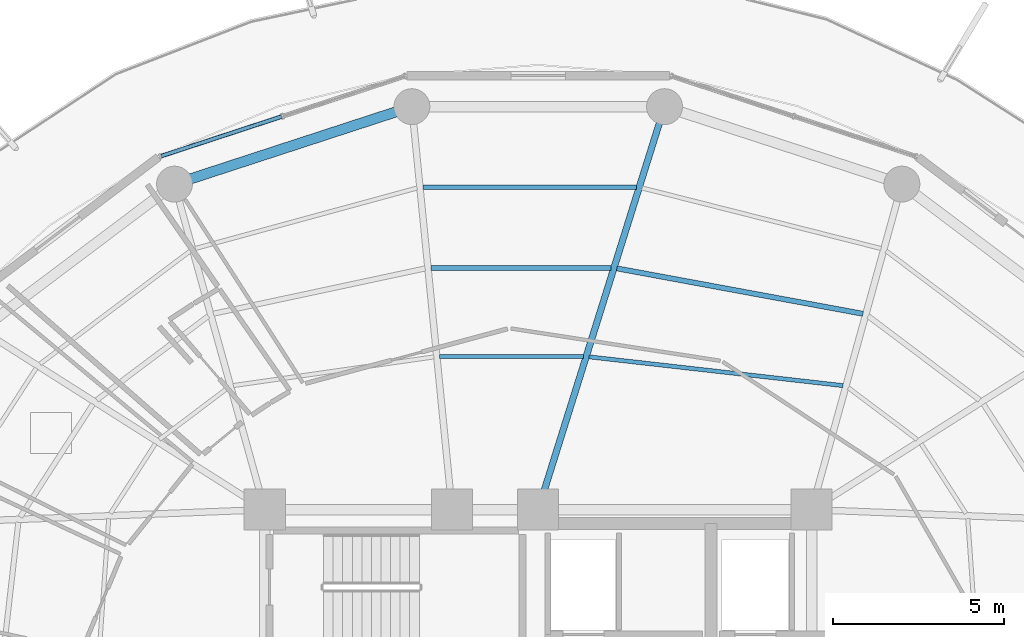
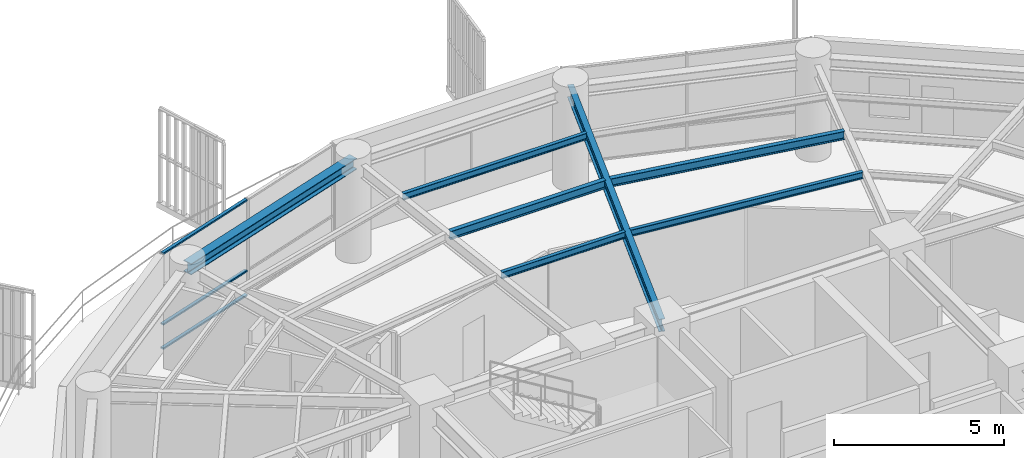
# One storey, part 18 of 30: 7 beams, 3 members, 1 element without a shape of its own.
"""IFC4 building model written with IfcOpenShell, lengths in metres."""

from ifc_helpers import new_model, si_unit, direction, frame, origin, origin_2d, place, context, subcontext, project, spatial, hollow_rectangle, i_section, extrude, material, layer, layer_set, material_profile, profile_set, type_object, element, aggregate, save


model = new_model("IFC4")

# Units and contexts
model_context = context("Model", 3, precision=1e-05, world=origin(), true_north=direction((0.0, 1.0)))
body_context = subcontext(model_context, "Body", "Model", "MODEL_VIEW")
ifc_project = project(units=[si_unit("LENGTHUNIT", "METRE"), si_unit("AREAUNIT", "SQUARE_METRE"), si_unit("VOLUMEUNIT", "CUBIC_METRE"), si_unit("PLANEANGLEUNIT", "RADIAN"), si_unit("MASSUNIT", "GRAM", prefix="KILO")], contexts=[model_context])

# Site, building, storey
site_placement = place(None, origin())
site = spatial("IfcSite", under=ifc_project, at=site_placement, CompositionType="ELEMENT")
building_placement = place(site_placement, origin())
building = spatial("IfcBuilding", under=site, at=building_placement, Name="Kelanora Arch Commons", CompositionType="ELEMENT")
storey_placement = place(building_placement, frame((0.0, 0.0, 204.449951171875)))
storey = spatial("IfcBuildingStorey", under=building, at=storey_placement, Name="L52", CompositionType="ELEMENT", Elevation=204.449951171875)

# Beams
ifc_material_1 = material(Name="Steel S355", Category="steel")
ifc_material_profile_1 = material_profile(ifc_material_1, i_section(OverallWidth=0.14990234375, OverallDepth=0.300048828125, WebThickness=0.007080078125, FlangeThickness=0.0107421875, FilletRadius=0.014892578125, at=origin_2d()), Name="IPE300")
ifc_profile_set_1 = profile_set([ifc_material_profile_1], Name="Steel S355")
beam_type_1 = type_object("IfcBeamType", Name="BM-JST-01", PredefinedType="JOIST", material=ifc_profile_set_1)
beam_1_placement = place(storey_placement, frame((83.50048828125, 70.729736328125, 3.340087890625), z_axis=(-0.983389964671, 0.181505309519, 0.0), x_axis=(-0.181505309519, -0.983389964671, 0.0)))
element("IfcBeam", 1, at=beam_1_placement, inside=storey, type_object=beam_type_1, Name="Secondary Chord Joist BJB-06 L52", PredefinedType="JOIST", context=body_context, shape_type="SweptSolid", body=[
    extrude(i_section(OverallWidth=0.14990234375, OverallDepth=0.300048828125, WebThickness=0.007080078125, FlangeThickness=0.0107421875, FilletRadius=0.014892578125, at=origin_2d()), origin(), (0.0, 0.0, 1.0), 7.3212890625),
])
beam_2_placement = place(storey_placement, frame((76.132080078125, 72.07421875, 3.340087890625), z_axis=(-1.0, 0.0, 0.0), x_axis=(0.0, -1.0, 0.0)))
element("IfcBeam", 2, at=beam_2_placement, inside=storey, type_object=beam_type_1, Name="Secondary Chord Joist BJB-08 L52", PredefinedType="JOIST", context=body_context, shape_type="SweptSolid", body=[
    extrude(i_section(OverallWidth=0.14990234375, OverallDepth=0.300048828125, WebThickness=0.007080078125, FlangeThickness=0.0107421875, FilletRadius=0.014892578125, at=origin_2d()), origin(), (0.0, 0.0, 1.0), 5.272216796875),
])
ifc_material_profile_2 = material_profile(ifc_material_1, i_section(OverallWidth=0.1201171875, OverallDepth=0.239990234375, WebThickness=0.006103515625, FlangeThickness=0.009765625, FilletRadius=0.014892578125, at=origin_2d()), Name="IPE240")
ifc_profile_set_2 = profile_set([ifc_material_profile_2], Name="Steel S355")
beam_type_2 = type_object("IfcBeamType", Name="BM-JST-02", PredefinedType="JOIST", material=ifc_profile_set_2)
beam_3_placement = place(storey_placement, frame((82.918701171875, 68.628662109375, 3.3701171875), z_axis=(-0.993639672263, 0.11260640171, 0.0), x_axis=(-0.11260640171, -0.993639672263, 0.0)))
element("IfcBeam", 3, at=beam_3_placement, inside=storey, type_object=beam_type_2, Name="Secondary Chord Joist BJA-06 L52", PredefinedType="JOIST", context=body_context, shape_type="SweptSolid", body=[
    extrude(i_section(OverallWidth=0.1201171875, OverallDepth=0.239990234375, WebThickness=0.006103515625, FlangeThickness=0.009765625, FilletRadius=0.014892578125, at=origin_2d()), origin(), (0.0, 0.0, 1.0), 7.477783203125),
])
beam_4_placement = place(storey_placement, frame((75.319091796875, 69.480224609375, 3.3701171875), z_axis=(-1.0, 0.0, 0.0), x_axis=(0.0, -1.0, 0.0)))
element("IfcBeam", 4, at=beam_4_placement, inside=storey, type_object=beam_type_2, Name="Secondary Chord Joist BJA-08 L52", PredefinedType="JOIST", context=body_context, shape_type="SweptSolid", body=[
    extrude(i_section(OverallWidth=0.1201171875, OverallDepth=0.239990234375, WebThickness=0.006103515625, FlangeThickness=0.009765625, FilletRadius=0.014892578125, at=origin_2d()), origin(), (0.0, 0.0, 1.0), 4.20068359375),
])
beam_5_placement = place(storey_placement, frame((76.87109375, 74.43212890625, 3.3701171875), z_axis=(-1.0, 0.0, 0.0), x_axis=(0.0, -1.0, 0.0)))
element("IfcBeam", 5, at=beam_5_placement, inside=storey, type_object=beam_type_2, Name="Secondary Chord Joist BJC-08 L52", PredefinedType="JOIST", context=body_context, shape_type="SweptSolid", body=[
    extrude(i_section(OverallWidth=0.1201171875, OverallDepth=0.239990234375, WebThickness=0.006103515625, FlangeThickness=0.009765625, FilletRadius=0.014892578125, at=origin_2d()), origin(), (0.0, 0.0, 1.0), 6.246337890625),
])
ifc_material_profile_3 = material_profile(ifc_material_1, i_section(OverallWidth=0.18994140625, OverallDepth=0.449951171875, WebThickness=0.009521484375, FlangeThickness=0.0146484375, FilletRadius=0.02099609375, at=origin_2d()), Name="IPE450")
ifc_profile_set_3 = profile_set([ifc_material_profile_3], Name="Steel S355")
beam_type_3 = type_object("IfcBeamType", Name="BM-RAD-Z4", PredefinedType="BEAM", material=ifc_profile_set_3)
beam_6_placement = place(storey_placement, frame((74.0, 65.0, 3.26513671875), z_axis=(0.299080457492, 0.954227897279, 0.0), x_axis=(-0.954227897279, 0.299080457492, 0.0)))
element("IfcBeam", 6, at=beam_6_placement, inside=storey, type_object=beam_type_3, Name="Radial Floor Girder BR-08 L52", PredefinedType="BEAM", context=body_context, shape_type="SweptSolid", body=[
    extrude(i_section(OverallWidth=0.18994140625, OverallDepth=0.449951171875, WebThickness=0.009521484375, FlangeThickness=0.0146484375, FilletRadius=0.02099609375, at=origin_2d()), origin(), (0.0, 0.0, 1.0), 12.35546875),
])
ifc_material_profile_4 = material_profile(ifc_material_1, i_section(OverallWidth=0.300048828125, OverallDepth=0.39990234375, WebThickness=0.013427734375, FlangeThickness=0.02392578125, FilletRadius=0.027099609375, at=origin_2d()), Name="HEB400")
ifc_profile_set_4 = profile_set([ifc_material_profile_4], Name="Steel S355")
beam_type_4 = type_object("IfcBeamType", Name="BM-SPN-Z4", PredefinedType="SPANDREL", material=ifc_profile_set_4)
beam_7_placement = place(storey_placement, frame((70.3046875, 76.7900390625, 3.2900390625), z_axis=(-0.950656361143, -0.310245842872, 0.0), x_axis=(0.310245842872, -0.950656361143, 0.0)))
element("IfcBeam", 7, at=beam_7_placement, inside=storey, type_object=beam_type_4, Name="Perimeter Spandrel Beam BS-10 L52", PredefinedType="SPANDREL", context=body_context, shape_type="SweptSolid", body=[
    extrude(i_section(OverallWidth=0.300048828125, OverallDepth=0.39990234375, WebThickness=0.013427734375, FlangeThickness=0.02392578125, FilletRadius=0.027099609375, at=origin_2d()), origin(), (0.0, 0.0, 1.0), 7.304931640625),
])

# Curtain wall, members
ifc_material_2 = material(Name="Terracotta ceramic-fritted low-E glass and aluminium", Category="masonry")
ifc_layer = layer(ifc_material_2, 0.175048828125)
ifc_layer_set = layer_set([ifc_layer], Name="Terracotta ceramic-fritted low-E glass and aluminium")
curtain_wall_type = type_object("IfcCurtainWallType", Name="CW-SYS-02", PredefinedType="NOTDEFINED", material=ifc_layer_set)
curtain_wall_placement = place(storey_placement, origin())
curtain_wall = element("IfcCurtainWall", 8, at=curtain_wall_placement, inside=storey, type_object=curtain_wall_type, Name="Unitised Curtain Wall L52-B05", PredefinedType="NOTDEFINED")
ifc_material_3 = material(Name="Powder-coated aluminium terracotta", Category="masonry")
ifc_material_profile_5 = material_profile(ifc_material_3, hollow_rectangle(XDim=0.1201171875, YDim=0.06005859375, WallThickness=0.0048828125, InnerFilletRadius=0.0048828125, OuterFilletRadius=0.010009765625, at=origin_2d()), Name="CWT120x60")
ifc_profile_set_5 = profile_set([ifc_material_profile_5], Name="Powder-coated aluminium terracotta")
member_type = type_object("IfcMemberType", Name="CWT-STD", PredefinedType="USERDEFINED", material=ifc_profile_set_5)
member_1_placement = place(storey_placement, frame((66.493896484375, 76.4990234375, 0.030029296875), z_axis=(-0.950226025222, -0.311561392011, 0.0), x_axis=(0.311561392011, -0.950226025222, 0.0)))
member_1 = element("IfcMember", 9, at=member_1_placement, type_object=member_type, Name="CW-02 transom 2.1", ObjectType="TRANSOM", PredefinedType="USERDEFINED", context=body_context, shape_type="SweptSolid", body=[
    extrude(hollow_rectangle(XDim=0.1201171875, YDim=0.06005859375, WallThickness=0.0048828125, InnerFilletRadius=0.0048828125, OuterFilletRadius=0.010009765625, at=origin_2d()), origin(), (0.0, 0.0, 1.0), 3.707275390625),
])
member_2_placement = place(storey_placement, frame((66.493896484375, 76.4990234375, 0.900146484375), z_axis=(-0.950226025222, -0.311561392011, 0.0), x_axis=(0.311561392011, -0.950226025222, 0.0)))
member_2 = element("IfcMember", 10, at=member_2_placement, type_object=member_type, Name="CW-02 transom 2.2", ObjectType="TRANSOM", PredefinedType="USERDEFINED", context=body_context, shape_type="SweptSolid", body=[
    extrude(hollow_rectangle(XDim=0.1201171875, YDim=0.06005859375, WallThickness=0.0048828125, InnerFilletRadius=0.0048828125, OuterFilletRadius=0.010009765625, at=origin_2d()), origin(), (0.0, 0.0, 1.0), 3.707275390625),
])
member_3_placement = place(storey_placement, frame((66.493896484375, 76.4990234375, 3.445068359375), z_axis=(-0.950226025222, -0.311561392011, 0.0), x_axis=(0.311561392011, -0.950226025222, 0.0)))
member_3 = element("IfcMember", 11, at=member_3_placement, type_object=member_type, Name="CW-02 transom 2.3", ObjectType="TRANSOM", PredefinedType="USERDEFINED", context=body_context, shape_type="SweptSolid", body=[
    extrude(hollow_rectangle(XDim=0.1201171875, YDim=0.06005859375, WallThickness=0.0048828125, InnerFilletRadius=0.0048828125, OuterFilletRadius=0.010009765625, at=origin_2d()), origin(), (0.0, 0.0, 1.0), 3.707275390625),
])
aggregate(curtain_wall, [member_1, member_2, member_3])

save(model, "model.ifc")
